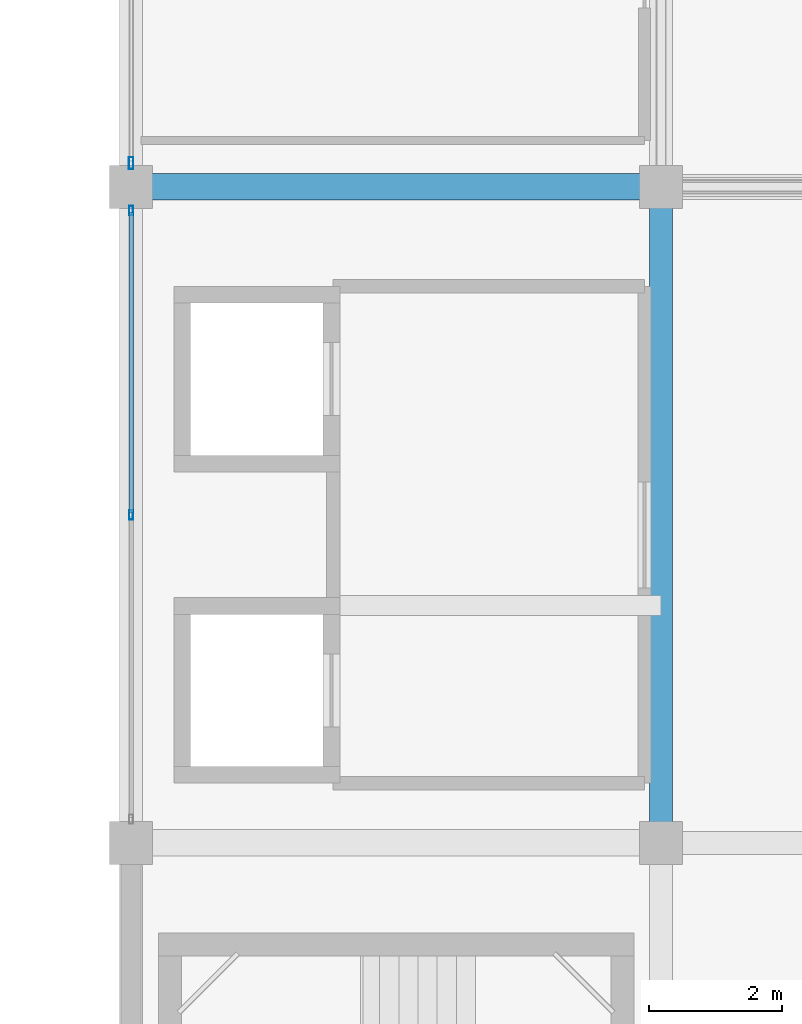
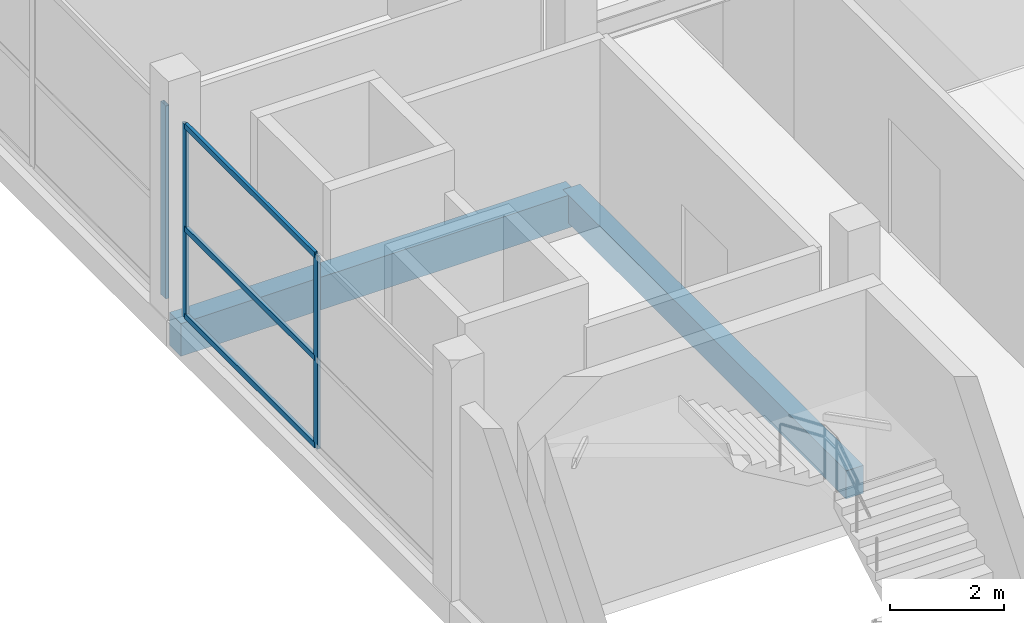
# One storey, part 8 of 66: 6 members, 2 beams, 2 elements without a shape of their own.
"""IFC4 building model written with IfcOpenShell, lengths in metres."""

from ifc_helpers import new_model, si_unit, direction, frame, origin, origin_2d, place, context, subcontext, project, spatial, rectangle, hollow_rectangle, extrude, material, layer, layer_set, material_profile, profile_set, type_object, element, aggregate, save


model = new_model("IFC4")

# Units and contexts
model_context = context("Model", 3, precision=1e-05, world=origin(), true_north=direction((0.0, 1.0)))
body_context = subcontext(model_context, "Body", "Model", "MODEL_VIEW")
ifc_project = project(units=[si_unit("LENGTHUNIT", "METRE"), si_unit("AREAUNIT", "SQUARE_METRE"), si_unit("VOLUMEUNIT", "CUBIC_METRE"), si_unit("PLANEANGLEUNIT", "RADIAN"), si_unit("MASSUNIT", "GRAM", prefix="KILO")], contexts=[model_context])

# Site, building, storey
site_placement = place(None, origin())
site = spatial("IfcSite", under=ifc_project, at=site_placement, CompositionType="ELEMENT")
building_placement = place(site_placement, origin())
building = spatial("IfcBuilding", under=site, at=building_placement, Name="Sillaruma Civic Art Gallery", CompositionType="ELEMENT")
storey_placement = place(building_placement, frame((0.0, 0.0, 57.1201171875)))
storey = spatial("IfcBuildingStorey", under=building, at=storey_placement, Name="L11", CompositionType="ELEMENT", Elevation=57.1201171875)

# Beams
ifc_material_1 = material(Name="Concrete H35 (35 MPa)", Category="concrete")
ifc_material_profile_1 = material_profile(ifc_material_1, rectangle(XDim=0.35009765625, YDim=0.60009765625, at=origin_2d()), Name="RCB350x600")
ifc_profile_set_1 = profile_set([ifc_material_profile_1], Name="Concrete H35 (35 MPa)")
beam_type_1 = type_object("IfcBeamType", Name="BM-BEAM-RCB350x600", PredefinedType="BEAM", material=ifc_profile_set_1)
beam_1_placement = place(storey_placement, frame((70.0, 39.60009765625, -0.550048828125), z_axis=(0.0, 1.0, 0.0), x_axis=(-1.0, 0.0, 0.0)))
element("IfcBeam", 1, at=beam_1_placement, inside=storey, type_object=beam_type_1, Name="Beam BM-06 (L10:G:5-6)", PredefinedType="BEAM", context=body_context, shape_type="SweptSolid", body=[
    extrude(rectangle(XDim=0.35009765625, YDim=0.60009765625, at=origin_2d()), origin(), (0.0, 0.0, 1.0), 9.89990234375),
])
ifc_material_profile_2 = material_profile(ifc_material_1, rectangle(XDim=0.39990234375, YDim=0.699951171875, at=origin_2d()), Name="RCB400x700")
ifc_profile_set_2 = profile_set([ifc_material_profile_2], Name="Concrete H35 (35 MPa)")
beam_type_2 = type_object("IfcBeamType", Name="BM-BEAM-RCB400x700", PredefinedType="BEAM", material=ifc_profile_set_2)
beam_2_placement = place(storey_placement, frame((62.0, 49.5, -0.60009765625), z_axis=(1.0, 0.0, 0.0), x_axis=(0.0, 1.0, 0.0)))
element("IfcBeam", 2, at=beam_2_placement, inside=storey, type_object=beam_type_2, Name="Beam BM-04 (L10:6:F-G)", PredefinedType="BEAM", context=body_context, shape_type="SweptSolid", body=[
    extrude(rectangle(XDim=0.39990234375, YDim=0.699951171875, at=origin_2d()), origin(), (0.0, 0.0, 1.0), 8.0),
])

# Curtain wall, members
ifc_material_2 = material(Name="Thermally Broken Extruded Aluminium 6063-T6", Category="aluminium")
ifc_layer_1 = layer(ifc_material_2, 0.139892578125, Name="Thermally Broken Extruded Aluminium 6063-T6")
ifc_layer_set_1 = layer_set([ifc_layer_1], Name="Thermally Broken Extruded Aluminium 6063-T6")
curtain_wall_type_1 = type_object("IfcCurtainWallType", Name="CW-UNI-70", PredefinedType="NOTDEFINED", material=ifc_layer_set_1)
curtain_wall_1_placement = place(storey_placement, origin())
curtain_wall_1 = element("IfcCurtainWall", 3, at=curtain_wall_1_placement, inside=storey, type_object=curtain_wall_type_1, Name="Unitised Curtain Wall CW-70 (CW-L11-WBW-3)", PredefinedType="NOTDEFINED")
ifc_material_profile_3 = material_profile(ifc_material_2, hollow_rectangle(XDim=0.06005859375, YDim=0.139892578125, WallThickness=0.00341796875, at=origin_2d()), Name="CWM60x140")
ifc_profile_set_3 = profile_set([ifc_material_profile_3], Name="Thermally Broken Extruded Aluminium 6063-T6")
member_type_1 = type_object("IfcMemberType", Name="MEM-MUL-CWM60x140", PredefinedType="MULLION", material=ifc_profile_set_3)
member_1_placement = place(storey_placement, frame((62.0, 44.550048828125, 0.0), z_axis=(0.0, 0.0, 1.0), x_axis=(-1.0, 0.0, 0.0)))
member_1 = element("IfcMember", 4, at=member_1_placement, type_object=member_type_1, Name="CW-70 mullion 2", PredefinedType="MULLION", context=body_context, shape_type="SweptSolid", body=[
    extrude(hollow_rectangle(XDim=0.06005859375, YDim=0.139892578125, WallThickness=0.00341796875, at=origin_2d()), origin(), (0.0, 0.0, 1.0), 4.119873046875),
])
member_2_placement = place(storey_placement, frame((62.0, 49.14501953125, 0.0), z_axis=(0.0, 0.0, 1.0), x_axis=(-1.0, 0.0, 0.0)))
member_2 = element("IfcMember", 5, at=member_2_placement, type_object=member_type_1, Name="CW-70 mullion 3", PredefinedType="MULLION", context=body_context, shape_type="SweptSolid", body=[
    extrude(hollow_rectangle(XDim=0.06005859375, YDim=0.139892578125, WallThickness=0.00341796875, at=origin_2d()), origin(), (0.0, 0.0, 1.0), 4.119873046875),
])

# Curtain wall, member
ifc_layer_2 = layer(ifc_material_2, 0.179931640625, Name="Thermally Broken Extruded Aluminium 6063-T6")
ifc_layer_set_2 = layer_set([ifc_layer_2], Name="Thermally Broken Extruded Aluminium 6063-T6")
curtain_wall_type_2 = type_object("IfcCurtainWallType", Name="CW-UNI-66", PredefinedType="NOTDEFINED", material=ifc_layer_set_2)
curtain_wall_2_placement = place(storey_placement, origin())
curtain_wall_2 = element("IfcCurtainWall", 6, at=curtain_wall_2_placement, inside=storey, type_object=curtain_wall_type_2, Name="Unitised Curtain Wall CW-66 (CW-L11-WBW-4)", PredefinedType="NOTDEFINED")
ifc_material_profile_4 = material_profile(ifc_material_2, hollow_rectangle(XDim=0.070068359375, YDim=0.179931640625, WallThickness=0.00390625, at=origin_2d()), Name="CWM70x180")
ifc_profile_set_4 = profile_set([ifc_material_profile_4], Name="Thermally Broken Extruded Aluminium 6063-T6")
member_type_2 = type_object("IfcMemberType", Name="MEM-MUL-CWM70x180", PredefinedType="MULLION", material=ifc_profile_set_4)
member_3_placement = place(storey_placement, frame((62.0, 49.860107421875, 0.0), z_axis=(0.0, 0.0, 1.0), x_axis=(-1.0, 0.0, 0.0)))
member_3 = element("IfcMember", 7, at=member_3_placement, type_object=member_type_2, Name="CW-66 mullion 1", PredefinedType="MULLION", context=body_context, shape_type="SweptSolid", body=[
    extrude(hollow_rectangle(XDim=0.070068359375, YDim=0.179931640625, WallThickness=0.00390625, at=origin_2d()), origin(), (0.0, 0.0, 1.0), 4.119873046875),
])
aggregate(curtain_wall_2, [member_3])

# Member
ifc_material_profile_5 = material_profile(ifc_material_2, hollow_rectangle(XDim=0.06494140625, YDim=0.1201171875, WallThickness=0.00341796875, at=origin_2d()), Name="CWT65x120")
ifc_profile_set_5 = profile_set([ifc_material_profile_5], Name="Thermally Broken Extruded Aluminium 6063-T6")
member_type_3 = type_object("IfcMemberType", Name="MEM-TRN-CWT65x120", PredefinedType="USERDEFINED", material=ifc_profile_set_5)
member_4_placement = place(storey_placement, frame((62.0, 44.580078125, 0.032470703125), z_axis=(0.0, 1.0, 0.0), x_axis=(-1.0, 0.0, 0.0)))
member_4 = element("IfcMember", 8, at=member_4_placement, type_object=member_type_3, Name="CW-70 transom 2.1", ObjectType="TRANSOM", PredefinedType="USERDEFINED", context=body_context, shape_type="SweptSolid", body=[
    extrude(hollow_rectangle(XDim=0.06494140625, YDim=0.1201171875, WallThickness=0.00341796875, at=origin_2d()), origin(), (0.0, 0.0, 1.0), 4.534912109375),
])

member_5_placement = place(storey_placement, frame((62.0, 44.580078125, 1.89501953125), z_axis=(0.0, 1.0, 0.0), x_axis=(-1.0, 0.0, 0.0)))
member_5 = element("IfcMember", 9, at=member_5_placement, type_object=member_type_3, Name="CW-70 transom 2.2", ObjectType="TRANSOM", PredefinedType="USERDEFINED", context=body_context, shape_type="SweptSolid", body=[
    extrude(hollow_rectangle(XDim=0.06494140625, YDim=0.1201171875, WallThickness=0.00341796875, at=origin_2d()), origin(), (0.0, 0.0, 1.0), 4.534912109375),
])

member_6_placement = place(storey_placement, frame((62.0, 44.580078125, 4.08740234375), z_axis=(0.0, 1.0, 0.0), x_axis=(-1.0, 0.0, 0.0)))
member_6 = element("IfcMember", 10, at=member_6_placement, type_object=member_type_3, Name="CW-70 transom 2.3", ObjectType="TRANSOM", PredefinedType="USERDEFINED", context=body_context, shape_type="SweptSolid", body=[
    extrude(hollow_rectangle(XDim=0.06494140625, YDim=0.1201171875, WallThickness=0.00341796875, at=origin_2d()), origin(), (0.0, 0.0, 1.0), 4.534912109375),
])

aggregate(curtain_wall_1, [member_1, member_2, member_4, member_5, member_6])

save(model, "model.ifc")
